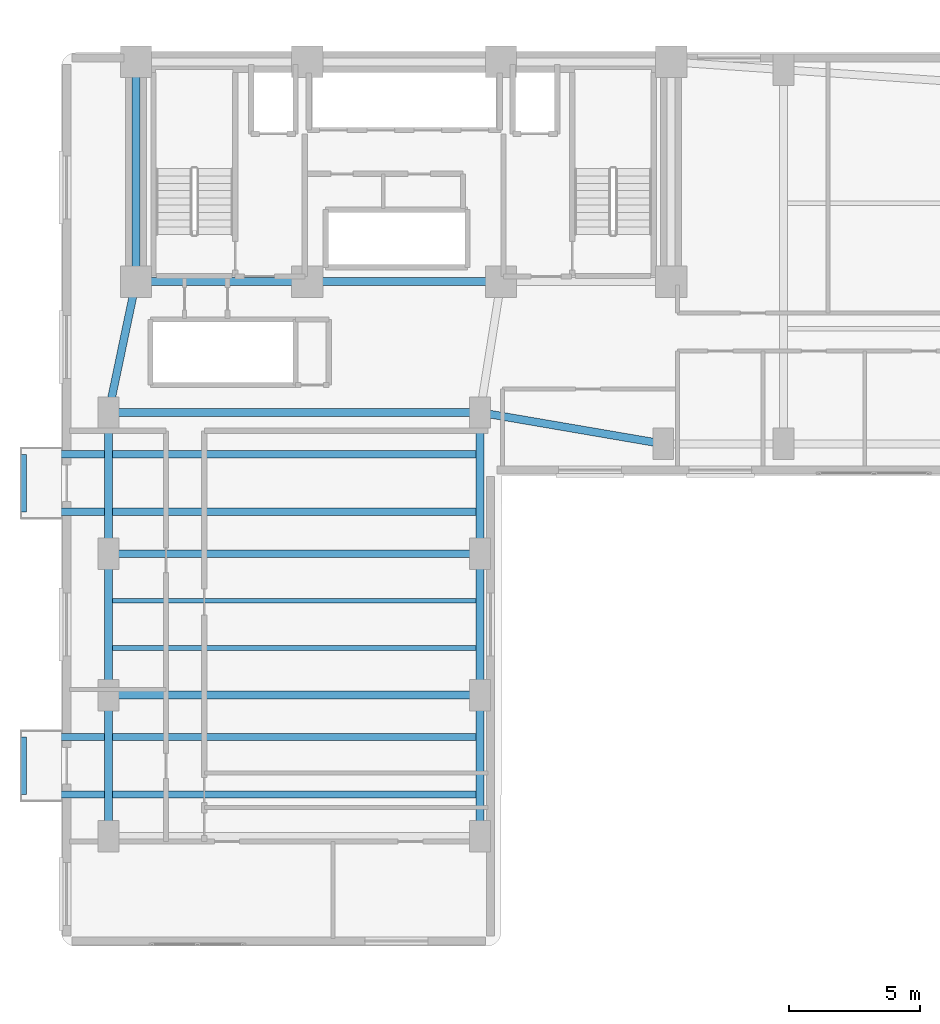
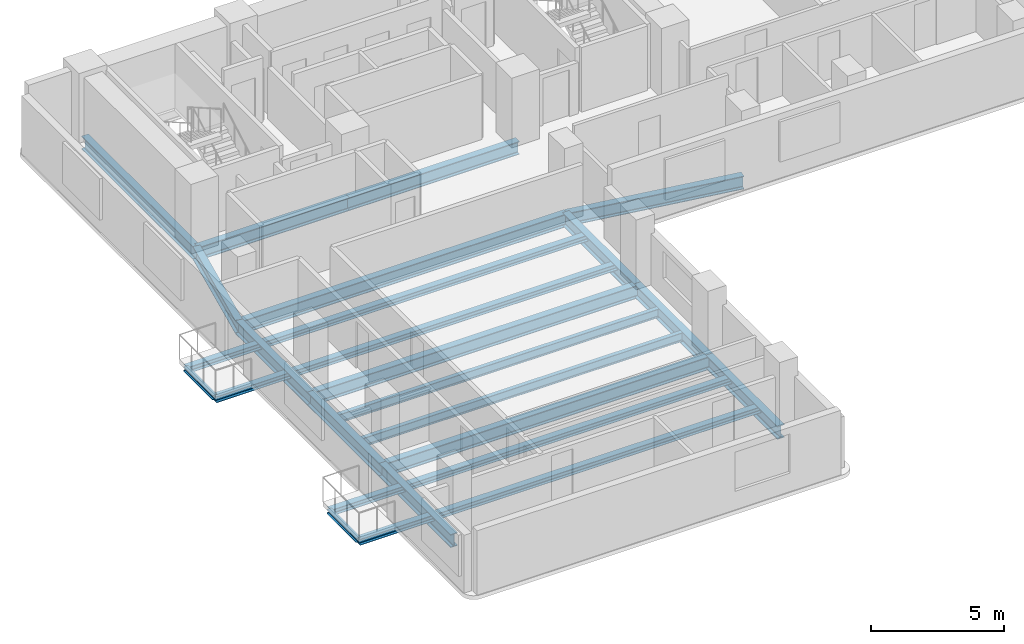
# One storey, part 3 of 15: 22 beams.
"""IFC4 building model written with IfcOpenShell, lengths in metres."""

from ifc_helpers import new_model, si_unit, direction, frame, origin, origin_2d, place, context, subcontext, project, spatial, i_section, extrude, material, material_profile, profile_set, type_object, element, save


model = new_model("IFC4")

# Units and contexts
model_context = context("Model", 3, precision=1e-05, world=origin(), true_north=direction((0.0, 1.0)))
body_context = subcontext(model_context, "Body", "Model", "MODEL_VIEW")
ifc_project = project(units=[si_unit("LENGTHUNIT", "METRE"), si_unit("AREAUNIT", "SQUARE_METRE"), si_unit("VOLUMEUNIT", "CUBIC_METRE"), si_unit("PLANEANGLEUNIT", "RADIAN"), si_unit("MASSUNIT", "GRAM", prefix="KILO")], contexts=[model_context])

# Site, building, storey
site_placement = place(None, origin())
site = spatial("IfcSite", under=ifc_project, at=site_placement, CompositionType="ELEMENT")
building_placement = place(site_placement, origin())
building = spatial("IfcBuilding", under=site, at=building_placement, Name="Kuzgunbayir Cultural Tower", CompositionType="ELEMENT")
storey_placement = place(building_placement, frame((0.0, 0.0, 72.39990234375)))
storey = spatial("IfcBuildingStorey", under=building, at=storey_placement, Name="L20", CompositionType="ELEMENT", Elevation=72.39990234375)

# Beams
ifc_material = material(Name="Steel S355J2", Category="steel")
ifc_material_profile_1 = material_profile(ifc_material, i_section(OverallWidth=0.280029296875, OverallDepth=0.280029296875, WebThickness=0.010498046875, FlangeThickness=0.01806640625, FilletRadius=0.02392578125, at=origin_2d()), Name="HEB 280")
ifc_profile_set_1 = profile_set([ifc_material_profile_1], Name="Steel S355J2")
beam_type_1 = type_object("IfcBeamType", Name="BM-BAL-HEB280", PredefinedType="BEAM", material=ifc_profile_set_1)
for number, where, z_axis, x_axis, name in (
    (1, (2.159912109375, 14.199951171875, -0.33984375), (1.0, 0.0, 0.0), (0.0, 1.0, 0.0), "L20 Balcony Outrigger Beam BAL-L20-WA1.1"),
    (2, (2.159912109375, 16.39990234375, -0.33984375), (1.0, 0.0, 0.0), (0.0, 1.0, 0.0), "L20 Balcony Outrigger Beam BAL-L20-WA1.2"),
    (3, (2.159912109375, 25.0, -0.33984375), (1.0, 0.0, 0.0), (0.0, 1.0, 0.0), "L20 Balcony Outrigger Beam BAL-L20-WA3.1"),
    (4, (2.159912109375, 27.199951171875, -0.33984375), (1.0, 0.0, 0.0), (0.0, 1.0, 0.0), "L20 Balcony Outrigger Beam BAL-L20-WA3.2"),
):
    element("IfcBeam", number, at=place(storey_placement, frame(where, z_axis=z_axis, x_axis=x_axis)), inside=storey, type_object=beam_type_1, Name=name, PredefinedType="BEAM", context=body_context, shape_type="SweptSolid", body=[
        extrude(i_section(OverallWidth=0.280029296875, OverallDepth=0.280029296875, WebThickness=0.010498046875, FlangeThickness=0.01806640625, FilletRadius=0.02392578125, at=origin_2d()), origin(), (0.0, 0.0, 1.0), 17.440185546875),
    ])
ifc_material_profile_2 = material_profile(ifc_material, i_section(OverallWidth=0.199951171875, OverallDepth=0.199951171875, WebThickness=0.009033203125, FlangeThickness=0.014892578125, FilletRadius=0.01806640625, at=origin_2d()), Name="HEB 200")
ifc_profile_set_2 = profile_set([ifc_material_profile_2], Name="Steel S355J2")
beam_type_2 = type_object("IfcBeamType", Name="BM-CAN-HEB200", PredefinedType="BEAM", material=ifc_profile_set_2)
for number, where, z_axis, x_axis, name in (
    (5, (2.159912109375, 14.199951171875, -0.2998046875), (0.0, 1.0, 0.0), (-1.0, 0.0, 0.0), "L20 Balcony Edge Header BAL-L20-WA1"),
    (6, (2.159912109375, 25.0, -0.2998046875), (0.0, 1.0, 0.0), (-1.0, 0.0, 0.0), "L20 Balcony Edge Header BAL-L20-WA3"),
):
    element("IfcBeam", number, at=place(storey_placement, frame(where, z_axis=z_axis, x_axis=x_axis)), inside=storey, type_object=beam_type_2, Name=name, PredefinedType="BEAM", context=body_context, shape_type="SweptSolid", body=[
        extrude(i_section(OverallWidth=0.199951171875, OverallDepth=0.199951171875, WebThickness=0.009033203125, FlangeThickness=0.014892578125, FilletRadius=0.01806640625, at=origin_2d()), origin(), (0.0, 0.0, 1.0), 2.199951171875),
    ])
ifc_material_profile_3 = material_profile(ifc_material, i_section(OverallWidth=0.300048828125, OverallDepth=0.60009765625, WebThickness=0.015380859375, FlangeThickness=0.030029296875, FilletRadius=0.027099609375, at=origin_2d()), Name="HEB 600")
ifc_profile_set_3 = profile_set([ifc_material_profile_3], Name="Steel S355J2")
beam_type_3 = type_object("IfcBeamType", Name="BM-EXT-HEB600", PredefinedType="BEAM", material=ifc_profile_set_3)
for number, where, z_axis, x_axis, name in (
    (7, (5.39990234375, 12.60009765625, -0.47998046875), (0.0, 1.0, 0.0), (-1.0, 0.0, 0.0), "L20 Wing A West Girder 1"),
    (8, (19.60009765625, 12.60009765625, -0.47998046875), (0.0, 1.0, 0.0), (-1.0, 0.0, 0.0), "L20 Wing A East Girder 1"),
    (9, (5.39990234375, 18.0, -0.47998046875), (0.0, 1.0, 0.0), (-1.0, 0.0, 0.0), "L20 Wing A West Girder 2"),
    (10, (19.60009765625, 18.0, -0.47998046875), (0.0, 1.0, 0.0), (-1.0, 0.0, 0.0), "L20 Wing A East Girder 2"),
):
    element("IfcBeam", number, at=place(storey_placement, frame(where, z_axis=z_axis, x_axis=x_axis)), inside=storey, type_object=beam_type_3, Name=name, PredefinedType="BEAM", context=body_context, shape_type="SweptSolid", body=[
        extrude(i_section(OverallWidth=0.300048828125, OverallDepth=0.60009765625, WebThickness=0.015380859375, FlangeThickness=0.030029296875, FilletRadius=0.027099609375, at=origin_2d()), origin(), (0.0, 0.0, 1.0), 5.39990234375),
    ])
for number, where, z_axis, x_axis, name in (
    (11, (5.39990234375, 23.39990234375, -0.47998046875), (0.0, 1.0, 0.0), (-1.0, 0.0, 0.0), "L20 Wing A West Girder 3"),
    (12, (19.60009765625, 23.39990234375, -0.47998046875), (0.0, 1.0, 0.0), (-1.0, 0.0, 0.0), "L20 Wing A East Girder 3"),
):
    element("IfcBeam", number, at=place(storey_placement, frame(where, z_axis=z_axis, x_axis=x_axis)), inside=storey, type_object=beam_type_3, Name=name, PredefinedType="BEAM", context=body_context, shape_type="SweptSolid", body=[
        extrude(i_section(OverallWidth=0.300048828125, OverallDepth=0.60009765625, WebThickness=0.015380859375, FlangeThickness=0.030029296875, FilletRadius=0.027099609375, at=origin_2d()), origin(), (0.0, 0.0, 1.0), 5.400146484375),
    ])
ifc_material_profile_4 = material_profile(ifc_material, i_section(OverallWidth=0.300048828125, OverallDepth=0.60009765625, WebThickness=0.015380859375, FlangeThickness=0.030029296875, FilletRadius=0.027099609375, at=origin_2d()), Name="HEB 600")
ifc_profile_set_4 = profile_set([ifc_material_profile_4], Name="Steel S355J2")
beam_type_4 = type_object("IfcBeamType", Name="BM-GIR-HEB600", PredefinedType="BEAM", material=ifc_profile_set_4)
beam_1_placement = place(storey_placement, frame((6.449951171875, 33.800048828125, -0.47998046875), z_axis=(1.0, 0.0, 0.0), x_axis=(0.0, 1.0, 0.0)))
element("IfcBeam", 13, at=beam_1_placement, inside=storey, type_object=beam_type_4, Name="L20 Core South Girder 1", PredefinedType="BEAM", context=body_context, shape_type="SweptSolid", body=[
    extrude(i_section(OverallWidth=0.300048828125, OverallDepth=0.60009765625, WebThickness=0.015380859375, FlangeThickness=0.030029296875, FilletRadius=0.027099609375, at=origin_2d()), origin(), (0.0, 0.0, 1.0), 6.550048828125),
])
beam_2_placement = place(storey_placement, frame((13.0, 33.800048828125, -0.47998046875), z_axis=(1.0, 0.0, 0.0), x_axis=(0.0, 1.0, 0.0)))
element("IfcBeam", 14, at=beam_2_placement, inside=storey, type_object=beam_type_4, Name="L20 Core South Girder 2", PredefinedType="BEAM", context=body_context, shape_type="SweptSolid", body=[
    extrude(i_section(OverallWidth=0.300048828125, OverallDepth=0.60009765625, WebThickness=0.015380859375, FlangeThickness=0.030029296875, FilletRadius=0.027099609375, at=origin_2d()), origin(), (0.0, 0.0, 1.0), 7.39990234375),
])
beam_3_placement = place(storey_placement, frame((6.449951171875, 33.800048828125, -0.47998046875), z_axis=(0.0, 1.0, 0.0), x_axis=(-1.0, 0.0, 0.0)))
element("IfcBeam", 15, at=beam_3_placement, inside=storey, type_object=beam_type_4, Name="L20 Core West Edge Girder", PredefinedType="BEAM", context=body_context, shape_type="SweptSolid", body=[
    extrude(i_section(OverallWidth=0.300048828125, OverallDepth=0.60009765625, WebThickness=0.015380859375, FlangeThickness=0.030029296875, FilletRadius=0.027099609375, at=origin_2d()), origin(), (0.0, 0.0, 1.0), 8.39990234375),
])
for number, where, z_axis, x_axis, name in (
    (16, (5.39990234375, 18.0, -0.47998046875), (1.0, 0.0, 0.0), (0.0, 1.0, 0.0), "L20 Wing A Transverse Girder 2"),
    (17, (5.39990234375, 23.39990234375, -0.47998046875), (1.0, 0.0, 0.0), (0.0, 1.0, 0.0), "L20 Wing A Transverse Girder 3"),
    (18, (5.39990234375, 28.800048828125, -0.47998046875), (1.0, 0.0, 0.0), (0.0, 1.0, 0.0), "L20 Wing A Transverse Girder 4"),
):
    element("IfcBeam", number, at=place(storey_placement, frame(where, z_axis=z_axis, x_axis=x_axis)), inside=storey, type_object=beam_type_4, Name=name, PredefinedType="BEAM", context=body_context, shape_type="SweptSolid", body=[
        extrude(i_section(OverallWidth=0.300048828125, OverallDepth=0.60009765625, WebThickness=0.015380859375, FlangeThickness=0.030029296875, FilletRadius=0.027099609375, at=origin_2d()), origin(), (0.0, 0.0, 1.0), 14.2001953125),
    ])
beam_4_placement = place(storey_placement, frame((5.39990234375, 28.800048828125, -0.47998046875), z_axis=(0.205526387753, 0.978651574329, 0.0), x_axis=(-0.978651574329, 0.205526387753, 0.0)))
element("IfcBeam", 19, at=beam_4_placement, inside=storey, type_object=beam_type_4, Name="L20 Wing A West Core Floor Girder", PredefinedType="BEAM", context=body_context, shape_type="SweptSolid", body=[
    extrude(i_section(OverallWidth=0.300048828125, OverallDepth=0.60009765625, WebThickness=0.015380859375, FlangeThickness=0.030029296875, FilletRadius=0.027099609375, at=origin_2d()), origin(), (0.0, 0.0, 1.0), 5.109130859375),
])
beam_5_placement = place(storey_placement, frame((19.60009765625, 28.800048828125, -0.47998046875), z_axis=(0.985623399742, -0.168957136221, 0.0), x_axis=(0.168957136221, 0.985623399742, 0.0)))
element("IfcBeam", 20, at=beam_5_placement, inside=storey, type_object=beam_type_4, Name="L20 Wing B Waist Tie Girder", PredefinedType="BEAM", context=body_context, shape_type="SweptSolid", body=[
    extrude(i_section(OverallWidth=0.300048828125, OverallDepth=0.60009765625, WebThickness=0.015380859375, FlangeThickness=0.030029296875, FilletRadius=0.027099609375, at=origin_2d()), origin(), (0.0, 0.0, 1.0), 7.10205078125),
])
ifc_material_profile_5 = material_profile(ifc_material, i_section(OverallWidth=0.179931640625, OverallDepth=0.39990234375, WebThickness=0.008544921875, FlangeThickness=0.013427734375, FilletRadius=0.02099609375, at=origin_2d()), Name="IPE 400")
ifc_profile_set_5 = profile_set([ifc_material_profile_5], Name="Steel S355J2")
beam_type_5 = type_object("IfcBeamType", Name="BM-JST-IPE400", PredefinedType="JOIST", material=ifc_profile_set_5)
for number, where, z_axis, x_axis, name in (
    (21, (5.550048828125, 19.800048828125, -0.3798828125), (1.0, 0.0, 0.0), (0.0, 1.0, 0.0), "L20 Wing A Secondary Joist 3"),
    (22, (5.550048828125, 21.60009765625, -0.3798828125), (1.0, 0.0, 0.0), (0.0, 1.0, 0.0), "L20 Wing A Secondary Joist 4"),
):
    element("IfcBeam", number, at=place(storey_placement, frame(where, z_axis=z_axis, x_axis=x_axis)), inside=storey, type_object=beam_type_5, Name=name, PredefinedType="JOIST", context=body_context, shape_type="SweptSolid", body=[
        extrude(i_section(OverallWidth=0.179931640625, OverallDepth=0.39990234375, WebThickness=0.008544921875, FlangeThickness=0.013427734375, FilletRadius=0.02099609375, at=origin_2d()), origin(), (0.0, 0.0, 1.0), 13.89990234375),
    ])

save(model, "model.ifc")
